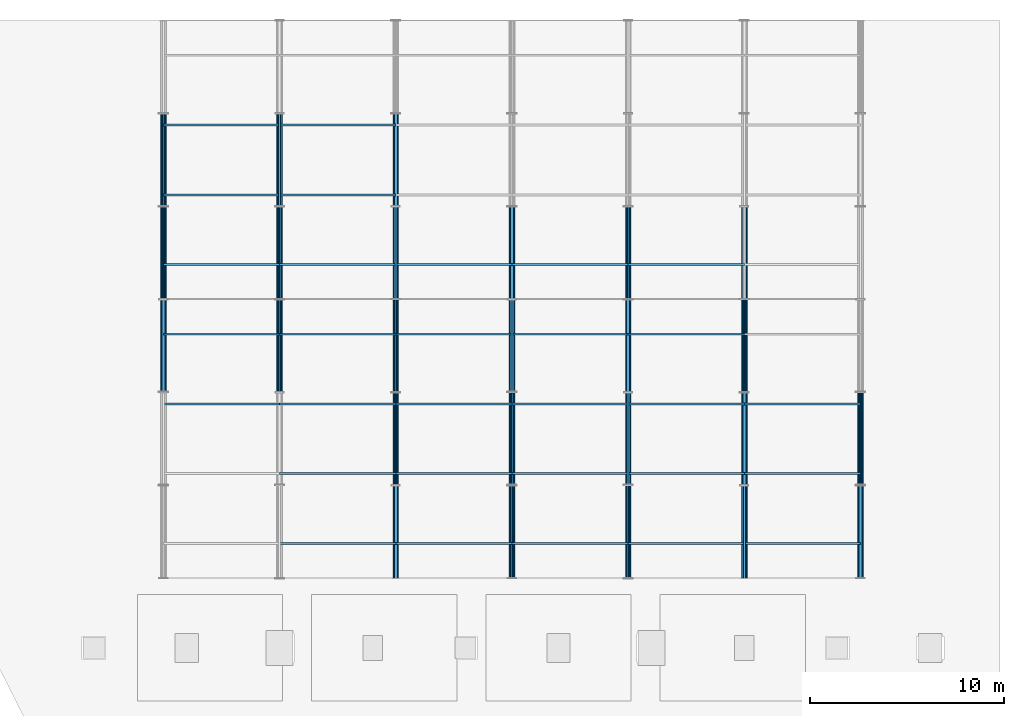
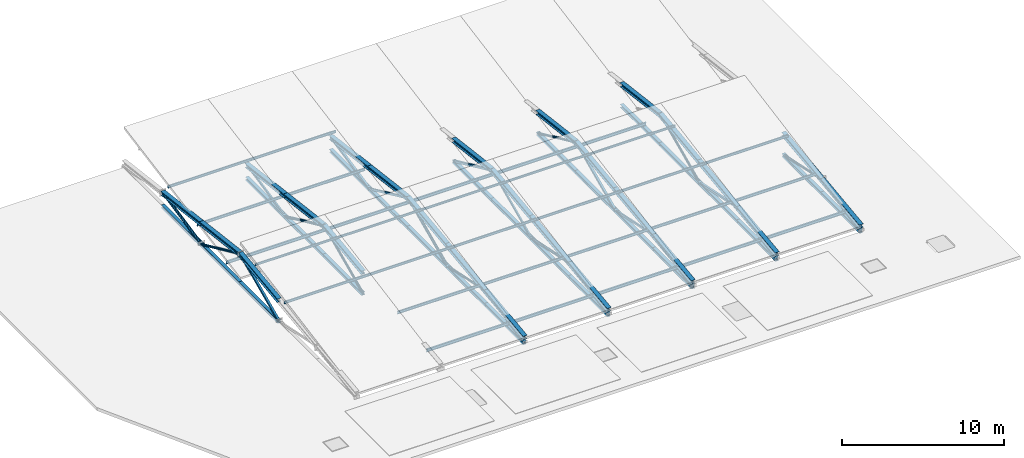
# One storey, part 9 of 32: 104 members.
"""IFC4 building model written with IfcOpenShell, lengths in metres."""

from ifc_helpers import new_model, si_unit, direction, frame, origin, origin_2d, place, context, subcontext, project, spatial, hollow_rectangle, hollow_circle, i_section, extrude, material, material_profile, profile_set, type_object, element, save


model = new_model("IFC4")

# Units and contexts
model_context = context("Model", 3, precision=1e-05, world=origin(), true_north=direction((0.0, 1.0)))
body_context = subcontext(model_context, "Body", "Model", "MODEL_VIEW")
ifc_project = project(units=[si_unit("LENGTHUNIT", "METRE"), si_unit("AREAUNIT", "SQUARE_METRE"), si_unit("VOLUMEUNIT", "CUBIC_METRE"), si_unit("PLANEANGLEUNIT", "RADIAN"), si_unit("MASSUNIT", "GRAM", prefix="KILO")], contexts=[model_context])

# Site, building, storey
site_placement = place(None, origin())
site = spatial("IfcSite", under=ifc_project, at=site_placement, CompositionType="ELEMENT")
building_placement = place(site_placement, origin())
building = spatial("IfcBuilding", under=site, at=building_placement, Name="Brisavento Harbour Community Centre", CompositionType="ELEMENT")
storey_placement = place(building_placement, frame((0.0, 0.0, 12.89990234375)))
storey = spatial("IfcBuildingStorey", under=building, at=storey_placement, Name="L03", CompositionType="ELEMENT", Elevation=12.89990234375)

# Members
ifc_material = material(Name="Steel S355", Category="steel")
ifc_material_profile_1 = material_profile(ifc_material, hollow_circle(Radius=0.084228515625, WallThickness=0.008056640625, at=origin_2d()), Name="Steel S355")
ifc_profile_set_1 = profile_set([ifc_material_profile_1], Name="Steel S355")
member_type_1 = type_object("IfcMemberType", Name="MEM-BRC-CHS168", PredefinedType="BRACE", material=ifc_profile_set_1)
for number, where, z_axis, x_axis, name in (
    (1, (129.60009765625, 100.800048828125, 2.2001953125), (0.0, 0.909052417623, -0.416681775475), (-1.0, 0.0, 0.0), "Sports Hall truss 1 diagonal 4"),
    (2, (135.60009765625, 96.0, 0.0), (0.0, 0.909052417623, 0.416681775475), (-1.0, 0.0, 0.0), "Sports Hall truss 2 diagonal 3"),
):
    element("IfcMember", number, at=place(storey_placement, frame(where, z_axis=z_axis, x_axis=x_axis)), inside=storey, type_object=member_type_1, Name=name, PredefinedType="BRACE", context=body_context, shape_type="SweptSolid", body=[
        extrude(hollow_circle(Radius=0.084228515625, WallThickness=0.008056640625, at=origin_2d()), origin(), (0.0, 0.0, 1.0), 5.2802734375),
    ])
for number, where, z_axis, x_axis, name in (
    (3, (141.60009765625, 91.199951171875, 1.0), (0.0, 0.978980833987, -0.203952265704), (-1.0, 0.0, 0.0), "Sports Hall truss 3 diagonal 2"),
    (4, (147.60009765625, 86.39990234375, 0.0), (0.0, 0.978980833987, 0.203952265704), (-1.0, 0.0, 0.0), "Sports Hall truss 4 diagonal 1"),
):
    element("IfcMember", number, at=place(storey_placement, frame(where, z_axis=z_axis, x_axis=x_axis)), inside=storey, type_object=member_type_1, Name=name, PredefinedType="BRACE", context=body_context, shape_type="SweptSolid", body=[
        extrude(hollow_circle(Radius=0.084228515625, WallThickness=0.008056640625, at=origin_2d()), origin(), (0.0, 0.0, 1.0), 4.903076171875),
    ])
for number, where, z_axis, x_axis, name in (
    (5, (153.60009765625, 100.800048828125, 2.2001953125), (0.0, 0.909052417623, -0.416681775475), (-1.0, 0.0, 0.0), "Sports Hall truss 5 diagonal 4"),
    (6, (159.60009765625, 96.0, 0.0), (0.0, 0.909052417623, 0.416681775475), (-1.0, 0.0, 0.0), "Sports Hall truss 6 diagonal 3"),
):
    element("IfcMember", number, at=place(storey_placement, frame(where, z_axis=z_axis, x_axis=x_axis)), inside=storey, type_object=member_type_1, Name=name, PredefinedType="BRACE", context=body_context, shape_type="SweptSolid", body=[
        extrude(hollow_circle(Radius=0.084228515625, WallThickness=0.008056640625, at=origin_2d()), origin(), (0.0, 0.0, 1.0), 5.2802734375),
    ])
member_1_placement = place(storey_placement, frame((165.60009765625, 91.199951171875, 1.0), z_axis=(0.0, 0.978980833987, -0.203952265704), x_axis=(-1.0, 0.0, 0.0)))
element("IfcMember", 7, at=member_1_placement, inside=storey, type_object=member_type_1, Name="Sports Hall truss 7 diagonal 2", PredefinedType="BRACE", context=body_context, shape_type="SweptSolid", body=[
    extrude(hollow_circle(Radius=0.084228515625, WallThickness=0.008056640625, at=origin_2d()), origin(), (0.0, 0.0, 1.0), 4.903076171875),
])
ifc_material_profile_2 = material_profile(ifc_material, hollow_circle(Radius=0.096923828125, WallThickness=0.010009765625, at=origin_2d()), Name="Steel S355")
ifc_profile_set_2 = profile_set([ifc_material_profile_2], Name="Steel S355")
member_type_2 = type_object("IfcMemberType", Name="MEM-BRC-CHS193", PredefinedType="BRACE", material=ifc_profile_set_2)
member_2_placement = place(storey_placement, frame((129.60009765625, 105.60009765625, 0.0), z_axis=(0.0, 0.978978762618, 0.203962208122), x_axis=(-1.0, 0.0, 0.0)))
element("IfcMember", 8, at=member_2_placement, inside=storey, type_object=member_type_2, Name="Sports Hall truss 1 diagonal 5", PredefinedType="BRACE", context=body_context, shape_type="SweptSolid", body=[
    extrude(hollow_circle(Radius=0.096923828125, WallThickness=0.010009765625, at=origin_2d()), origin(), (0.0, 0.0, 1.0), 4.90283203125),
])
for number, where, z_axis, x_axis, name in (
    (9, (135.60009765625, 100.800048828125, 2.2001953125), (0.0, 0.909052417623, -0.416681775475), (-1.0, 0.0, 0.0), "Sports Hall truss 2 diagonal 4"),
    (10, (141.60009765625, 96.0, 0.0), (0.0, 0.909052417623, 0.416681775475), (-1.0, 0.0, 0.0), "Sports Hall truss 3 diagonal 3"),
):
    element("IfcMember", number, at=place(storey_placement, frame(where, z_axis=z_axis, x_axis=x_axis)), inside=storey, type_object=member_type_2, Name=name, PredefinedType="BRACE", context=body_context, shape_type="SweptSolid", body=[
        extrude(hollow_circle(Radius=0.096923828125, WallThickness=0.010009765625, at=origin_2d()), origin(), (0.0, 0.0, 1.0), 5.2802734375),
    ])
for number, where, z_axis, x_axis, name in (
    (11, (147.60009765625, 91.199951171875, 1.0), (0.0, 0.978980833987, -0.203952265704), (-1.0, 0.0, 0.0), "Sports Hall truss 4 diagonal 2"),
    (12, (153.60009765625, 86.39990234375, 0.0), (0.0, 0.978980833987, 0.203952265704), (-1.0, 0.0, 0.0), "Sports Hall truss 5 diagonal 1"),
):
    element("IfcMember", number, at=place(storey_placement, frame(where, z_axis=z_axis, x_axis=x_axis)), inside=storey, type_object=member_type_2, Name=name, PredefinedType="BRACE", context=body_context, shape_type="SweptSolid", body=[
        extrude(hollow_circle(Radius=0.096923828125, WallThickness=0.010009765625, at=origin_2d()), origin(), (0.0, 0.0, 1.0), 4.903076171875),
    ])
ifc_material_profile_3 = material_profile(ifc_material, hollow_rectangle(XDim=0.10009765625, YDim=0.14990234375, WallThickness=0.008056640625, at=origin_2d()), Name="Steel S355")
ifc_profile_set_3 = profile_set([ifc_material_profile_3], Name="Steel S355")
member_type_3 = type_object("IfcMemberType", Name="MEM-BRC-RHS150", PredefinedType="BRACE", material=ifc_profile_set_3)
member_3_placement = place(storey_placement, frame((135.60009765625, 105.60009765625, 0.0), z_axis=(0.0, 0.978978762618, 0.203962208122), x_axis=(-1.0, 0.0, 0.0)))
element("IfcMember", 13, at=member_3_placement, inside=storey, type_object=member_type_3, Name="Sports Hall truss 2 diagonal 5", PredefinedType="BRACE", context=body_context, shape_type="SweptSolid", body=[
    extrude(hollow_rectangle(XDim=0.10009765625, YDim=0.14990234375, WallThickness=0.008056640625, at=origin_2d()), origin(), (0.0, 0.0, 1.0), 4.90283203125),
])
for number, where, z_axis, x_axis, name in (
    (14, (141.60009765625, 100.800048828125, 2.2001953125), (0.0, 0.909052417623, -0.416681775475), (-1.0, 0.0, 0.0), "Sports Hall truss 3 diagonal 4"),
    (15, (147.60009765625, 96.0, 0.0), (0.0, 0.909052417623, 0.416681775475), (-1.0, 0.0, 0.0), "Sports Hall truss 4 diagonal 3"),
):
    element("IfcMember", number, at=place(storey_placement, frame(where, z_axis=z_axis, x_axis=x_axis)), inside=storey, type_object=member_type_3, Name=name, PredefinedType="BRACE", context=body_context, shape_type="SweptSolid", body=[
        extrude(hollow_rectangle(XDim=0.10009765625, YDim=0.14990234375, WallThickness=0.008056640625, at=origin_2d()), origin(), (0.0, 0.0, 1.0), 5.2802734375),
    ])
for number, where, z_axis, x_axis, name in (
    (16, (153.60009765625, 91.199951171875, 1.0), (0.0, 0.978980833987, -0.203952265704), (-1.0, 0.0, 0.0), "Sports Hall truss 5 diagonal 2"),
    (17, (159.60009765625, 86.39990234375, 0.0), (0.0, 0.978980833987, 0.203952265704), (-1.0, 0.0, 0.0), "Sports Hall truss 6 diagonal 1"),
):
    element("IfcMember", number, at=place(storey_placement, frame(where, z_axis=z_axis, x_axis=x_axis)), inside=storey, type_object=member_type_3, Name=name, PredefinedType="BRACE", context=body_context, shape_type="SweptSolid", body=[
        extrude(hollow_rectangle(XDim=0.10009765625, YDim=0.14990234375, WallThickness=0.008056640625, at=origin_2d()), origin(), (0.0, 0.0, 1.0), 4.903076171875),
    ])
ifc_material_profile_4 = material_profile(ifc_material, hollow_rectangle(XDim=0.14990234375, YDim=0.14990234375, WallThickness=0.008056640625, at=origin_2d()), Name="Steel S355")
ifc_profile_set_4 = profile_set([ifc_material_profile_4], Name="Steel S355")
member_type_4 = type_object("IfcMemberType", Name="MEM-BRC-SHS150", PredefinedType="BRACE", material=ifc_profile_set_4)
member_4_placement = place(storey_placement, frame((129.60009765625, 96.0, 0.0), z_axis=(0.0, 0.909052417623, 0.416681775475), x_axis=(-1.0, 0.0, 0.0)))
element("IfcMember", 18, at=member_4_placement, inside=storey, type_object=member_type_4, Name="Sports Hall truss 1 diagonal 3", PredefinedType="BRACE", context=body_context, shape_type="SweptSolid", body=[
    extrude(hollow_rectangle(XDim=0.14990234375, YDim=0.14990234375, WallThickness=0.008056640625, at=origin_2d()), origin(), (0.0, 0.0, 1.0), 5.2802734375),
])
member_5_placement = place(storey_placement, frame((141.60009765625, 86.39990234375, 0.0), z_axis=(0.0, 0.978980833987, 0.203952265704), x_axis=(-1.0, 0.0, 0.0)))
element("IfcMember", 19, at=member_5_placement, inside=storey, type_object=member_type_4, Name="Sports Hall truss 3 diagonal 1", PredefinedType="BRACE", context=body_context, shape_type="SweptSolid", body=[
    extrude(hollow_rectangle(XDim=0.14990234375, YDim=0.14990234375, WallThickness=0.008056640625, at=origin_2d()), origin(), (0.0, 0.0, 1.0), 4.903076171875),
])
member_6_placement = place(storey_placement, frame((141.60009765625, 105.60009765625, 0.0), z_axis=(0.0, 0.978978762618, 0.203962208122), x_axis=(-1.0, 0.0, 0.0)))
element("IfcMember", 20, at=member_6_placement, inside=storey, type_object=member_type_4, Name="Sports Hall truss 3 diagonal 5", PredefinedType="BRACE", context=body_context, shape_type="SweptSolid", body=[
    extrude(hollow_rectangle(XDim=0.14990234375, YDim=0.14990234375, WallThickness=0.008056640625, at=origin_2d()), origin(), (0.0, 0.0, 1.0), 4.90283203125),
])
for number, where, z_axis, x_axis, name in (
    (21, (147.60009765625, 100.800048828125, 2.2001953125), (0.0, 0.909052417623, -0.416681775475), (-1.0, 0.0, 0.0), "Sports Hall truss 4 diagonal 4"),
    (22, (153.60009765625, 96.0, 0.0), (0.0, 0.909052417623, 0.416681775475), (-1.0, 0.0, 0.0), "Sports Hall truss 5 diagonal 3"),
):
    element("IfcMember", number, at=place(storey_placement, frame(where, z_axis=z_axis, x_axis=x_axis)), inside=storey, type_object=member_type_4, Name=name, PredefinedType="BRACE", context=body_context, shape_type="SweptSolid", body=[
        extrude(hollow_rectangle(XDim=0.14990234375, YDim=0.14990234375, WallThickness=0.008056640625, at=origin_2d()), origin(), (0.0, 0.0, 1.0), 5.2802734375),
    ])
for number, where, z_axis, x_axis, name in (
    (23, (159.60009765625, 91.199951171875, 1.0), (0.0, 0.978980833987, -0.203952265704), (-1.0, 0.0, 0.0), "Sports Hall truss 6 diagonal 2"),
    (24, (165.60009765625, 86.39990234375, 0.0), (0.0, 0.978980833987, 0.203952265704), (-1.0, 0.0, 0.0), "Sports Hall truss 7 diagonal 1"),
):
    element("IfcMember", number, at=place(storey_placement, frame(where, z_axis=z_axis, x_axis=x_axis)), inside=storey, type_object=member_type_4, Name=name, PredefinedType="BRACE", context=body_context, shape_type="SweptSolid", body=[
        extrude(hollow_rectangle(XDim=0.14990234375, YDim=0.14990234375, WallThickness=0.008056640625, at=origin_2d()), origin(), (0.0, 0.0, 1.0), 4.903076171875),
    ])
ifc_material_profile_5 = material_profile(ifc_material, i_section(OverallWidth=0.239990234375, OverallDepth=0.22998046875, WebThickness=0.007568359375, FlangeThickness=0.011962890625, FilletRadius=0.02099609375, at=origin_2d()), Name="Steel S355")
ifc_profile_set_5 = profile_set([ifc_material_profile_5], Name="Steel S355")
member_type_5 = type_object("IfcMemberType", Name="MEM-CHD-HEA240", PredefinedType="CHORD", material=ifc_profile_set_5)
for number, where, z_axis, x_axis, name in (
    (25, (129.60009765625, 96.0, 0.0), (0.0, 1.0, 0.0), (-1.0, 0.0, 0.0), "Sports Hall truss 1 bottom chord 3"),
    (26, (129.60009765625, 100.800048828125, 0.0), (0.0, 1.0, 0.0), (-1.0, 0.0, 0.0), "Sports Hall truss 1 bottom chord 4"),
):
    element("IfcMember", number, at=place(storey_placement, frame(where, z_axis=z_axis, x_axis=x_axis)), inside=storey, type_object=member_type_5, Name=name, PredefinedType="CHORD", context=body_context, shape_type="SweptSolid", body=[
        extrude(i_section(OverallWidth=0.239990234375, OverallDepth=0.22998046875, WebThickness=0.007568359375, FlangeThickness=0.011962890625, FilletRadius=0.02099609375, at=origin_2d()), origin(), (0.0, 0.0, 1.0), 4.800048828125),
    ])
member_7_placement = place(storey_placement, frame((129.60009765625, 105.60009765625, 0.0), z_axis=(0.0, 1.0, 0.0), x_axis=(-1.0, 0.0, 0.0)))
element("IfcMember", 27, at=member_7_placement, inside=storey, type_object=member_type_5, Name="Sports Hall truss 1 bottom chord 5", PredefinedType="CHORD", context=body_context, shape_type="SweptSolid", body=[
    extrude(i_section(OverallWidth=0.239990234375, OverallDepth=0.22998046875, WebThickness=0.007568359375, FlangeThickness=0.011962890625, FilletRadius=0.02099609375, at=origin_2d()), origin(), (0.0, 0.0, 1.0), 4.7998046875),
])
for number, where, z_axis, x_axis, name in (
    (28, (135.60009765625, 96.0, 0.0), (0.0, 1.0, 0.0), (-1.0, 0.0, 0.0), "Sports Hall truss 2 bottom chord 3"),
    (29, (135.60009765625, 100.800048828125, 0.0), (0.0, 1.0, 0.0), (-1.0, 0.0, 0.0), "Sports Hall truss 2 bottom chord 4"),
):
    element("IfcMember", number, at=place(storey_placement, frame(where, z_axis=z_axis, x_axis=x_axis)), inside=storey, type_object=member_type_5, Name=name, PredefinedType="CHORD", context=body_context, shape_type="SweptSolid", body=[
        extrude(i_section(OverallWidth=0.239990234375, OverallDepth=0.22998046875, WebThickness=0.007568359375, FlangeThickness=0.011962890625, FilletRadius=0.02099609375, at=origin_2d()), origin(), (0.0, 0.0, 1.0), 4.800048828125),
    ])
member_8_placement = place(storey_placement, frame((135.60009765625, 105.60009765625, 0.0), z_axis=(0.0, 1.0, 0.0), x_axis=(-1.0, 0.0, 0.0)))
element("IfcMember", 30, at=member_8_placement, inside=storey, type_object=member_type_5, Name="Sports Hall truss 2 bottom chord 5", PredefinedType="CHORD", context=body_context, shape_type="SweptSolid", body=[
    extrude(i_section(OverallWidth=0.239990234375, OverallDepth=0.22998046875, WebThickness=0.007568359375, FlangeThickness=0.011962890625, FilletRadius=0.02099609375, at=origin_2d()), origin(), (0.0, 0.0, 1.0), 4.7998046875),
])
for number, where, z_axis, x_axis, name in (
    (31, (141.60009765625, 86.39990234375, 0.0), (0.0, 1.0, 0.0), (-1.0, 0.0, 0.0), "Sports Hall truss 3 bottom chord 1"),
    (32, (141.60009765625, 91.199951171875, 0.0), (0.0, 1.0, 0.0), (-1.0, 0.0, 0.0), "Sports Hall truss 3 bottom chord 2"),
    (33, (141.60009765625, 96.0, 0.0), (0.0, 1.0, 0.0), (-1.0, 0.0, 0.0), "Sports Hall truss 3 bottom chord 3"),
    (34, (141.60009765625, 100.800048828125, 0.0), (0.0, 1.0, 0.0), (-1.0, 0.0, 0.0), "Sports Hall truss 3 bottom chord 4"),
):
    element("IfcMember", number, at=place(storey_placement, frame(where, z_axis=z_axis, x_axis=x_axis)), inside=storey, type_object=member_type_5, Name=name, PredefinedType="CHORD", context=body_context, shape_type="SweptSolid", body=[
        extrude(i_section(OverallWidth=0.239990234375, OverallDepth=0.22998046875, WebThickness=0.007568359375, FlangeThickness=0.011962890625, FilletRadius=0.02099609375, at=origin_2d()), origin(), (0.0, 0.0, 1.0), 4.800048828125),
    ])
member_9_placement = place(storey_placement, frame((141.60009765625, 105.60009765625, 0.0), z_axis=(0.0, 1.0, 0.0), x_axis=(-1.0, 0.0, 0.0)))
element("IfcMember", 35, at=member_9_placement, inside=storey, type_object=member_type_5, Name="Sports Hall truss 3 bottom chord 5", PredefinedType="CHORD", context=body_context, shape_type="SweptSolid", body=[
    extrude(i_section(OverallWidth=0.239990234375, OverallDepth=0.22998046875, WebThickness=0.007568359375, FlangeThickness=0.011962890625, FilletRadius=0.02099609375, at=origin_2d()), origin(), (0.0, 0.0, 1.0), 4.7998046875),
])
for number, where, z_axis, x_axis, name in (
    (36, (147.60009765625, 86.39990234375, 0.0), (0.0, 1.0, 0.0), (-1.0, 0.0, 0.0), "Sports Hall truss 4 bottom chord 1"),
    (37, (147.60009765625, 91.199951171875, 0.0), (0.0, 1.0, 0.0), (-1.0, 0.0, 0.0), "Sports Hall truss 4 bottom chord 2"),
    (38, (147.60009765625, 96.0, 0.0), (0.0, 1.0, 0.0), (-1.0, 0.0, 0.0), "Sports Hall truss 4 bottom chord 3"),
    (39, (147.60009765625, 100.800048828125, 0.0), (0.0, 1.0, 0.0), (-1.0, 0.0, 0.0), "Sports Hall truss 4 bottom chord 4"),
    (40, (153.60009765625, 86.39990234375, 0.0), (0.0, 1.0, 0.0), (-1.0, 0.0, 0.0), "Sports Hall truss 5 bottom chord 1"),
    (41, (153.60009765625, 91.199951171875, 0.0), (0.0, 1.0, 0.0), (-1.0, 0.0, 0.0), "Sports Hall truss 5 bottom chord 2"),
    (42, (153.60009765625, 96.0, 0.0), (0.0, 1.0, 0.0), (-1.0, 0.0, 0.0), "Sports Hall truss 5 bottom chord 3"),
    (43, (153.60009765625, 100.800048828125, 0.0), (0.0, 1.0, 0.0), (-1.0, 0.0, 0.0), "Sports Hall truss 5 bottom chord 4"),
    (44, (159.60009765625, 86.39990234375, 0.0), (0.0, 1.0, 0.0), (-1.0, 0.0, 0.0), "Sports Hall truss 6 bottom chord 1"),
    (45, (159.60009765625, 91.199951171875, 0.0), (0.0, 1.0, 0.0), (-1.0, 0.0, 0.0), "Sports Hall truss 6 bottom chord 2"),
    (46, (159.60009765625, 96.0, 0.0), (0.0, 1.0, 0.0), (-1.0, 0.0, 0.0), "Sports Hall truss 6 bottom chord 3"),
    (47, (159.60009765625, 100.800048828125, 0.0), (0.0, 1.0, 0.0), (-1.0, 0.0, 0.0), "Sports Hall truss 6 bottom chord 4"),
    (48, (165.60009765625, 86.39990234375, 0.0), (0.0, 1.0, 0.0), (-1.0, 0.0, 0.0), "Sports Hall truss 7 bottom chord 1"),
    (49, (165.60009765625, 91.199951171875, 0.0), (0.0, 1.0, 0.0), (-1.0, 0.0, 0.0), "Sports Hall truss 7 bottom chord 2"),
):
    element("IfcMember", number, at=place(storey_placement, frame(where, z_axis=z_axis, x_axis=x_axis)), inside=storey, type_object=member_type_5, Name=name, PredefinedType="CHORD", context=body_context, shape_type="SweptSolid", body=[
        extrude(i_section(OverallWidth=0.239990234375, OverallDepth=0.22998046875, WebThickness=0.007568359375, FlangeThickness=0.011962890625, FilletRadius=0.02099609375, at=origin_2d()), origin(), (0.0, 0.0, 1.0), 4.800048828125),
    ])
ifc_material_profile_6 = material_profile(ifc_material, i_section(OverallWidth=0.300048828125, OverallDepth=0.2900390625, WebThickness=0.008544921875, FlangeThickness=0.013916015625, FilletRadius=0.027099609375, at=origin_2d()), Name="Steel S355")
ifc_profile_set_6 = profile_set([ifc_material_profile_6], Name="Steel S355")
member_type_6 = type_object("IfcMemberType", Name="MEM-CHD-HEA300", PredefinedType="CHORD", material=ifc_profile_set_6)
for number, where, z_axis, x_axis, name in (
    (50, (129.60009765625, 96.0, 1.60009765625), (0.0, 0.99227554719, 0.12405336936), (-1.0, 0.0, 0.0), "Sports Hall truss 1 top chord 3"),
    (51, (129.60009765625, 100.800048828125, 2.2001953125), (0.0, 0.99227554719, -0.12405336936), (-1.0, 0.0, 0.0), "Sports Hall truss 1 top chord 4"),
):
    element("IfcMember", number, at=place(storey_placement, frame(where, z_axis=z_axis, x_axis=x_axis)), inside=storey, type_object=member_type_6, Name=name, PredefinedType="CHORD", context=body_context, shape_type="SweptSolid", body=[
        extrude(i_section(OverallWidth=0.300048828125, OverallDepth=0.2900390625, WebThickness=0.008544921875, FlangeThickness=0.013916015625, FilletRadius=0.027099609375, at=origin_2d()), origin(), (0.0, 0.0, 1.0), 4.83740234375),
    ])
member_10_placement = place(storey_placement, frame((129.60009765625, 105.60009765625, 1.60009765625), z_axis=(0.0, 0.992274770448, -0.124059582185), x_axis=(-1.0, 0.0, 0.0)))
element("IfcMember", 52, at=member_10_placement, inside=storey, type_object=member_type_6, Name="Sports Hall truss 1 top chord 5", PredefinedType="CHORD", context=body_context, shape_type="SweptSolid", body=[
    extrude(i_section(OverallWidth=0.300048828125, OverallDepth=0.2900390625, WebThickness=0.008544921875, FlangeThickness=0.013916015625, FilletRadius=0.027099609375, at=origin_2d()), origin(), (0.0, 0.0, 1.0), 4.837158203125),
])
for number, where, z_axis, x_axis, name in (
    (53, (135.60009765625, 96.0, 1.60009765625), (0.0, 0.99227554719, 0.12405336936), (-1.0, 0.0, 0.0), "Sports Hall truss 2 top chord 3"),
    (54, (135.60009765625, 100.800048828125, 2.2001953125), (0.0, 0.99227554719, -0.12405336936), (-1.0, 0.0, 0.0), "Sports Hall truss 2 top chord 4"),
):
    element("IfcMember", number, at=place(storey_placement, frame(where, z_axis=z_axis, x_axis=x_axis)), inside=storey, type_object=member_type_6, Name=name, PredefinedType="CHORD", context=body_context, shape_type="SweptSolid", body=[
        extrude(i_section(OverallWidth=0.300048828125, OverallDepth=0.2900390625, WebThickness=0.008544921875, FlangeThickness=0.013916015625, FilletRadius=0.027099609375, at=origin_2d()), origin(), (0.0, 0.0, 1.0), 4.83740234375),
    ])
member_11_placement = place(storey_placement, frame((135.60009765625, 105.60009765625, 1.60009765625), z_axis=(0.0, 0.992274770448, -0.124059582185), x_axis=(-1.0, 0.0, 0.0)))
element("IfcMember", 55, at=member_11_placement, inside=storey, type_object=member_type_6, Name="Sports Hall truss 2 top chord 5", PredefinedType="CHORD", context=body_context, shape_type="SweptSolid", body=[
    extrude(i_section(OverallWidth=0.300048828125, OverallDepth=0.2900390625, WebThickness=0.008544921875, FlangeThickness=0.013916015625, FilletRadius=0.027099609375, at=origin_2d()), origin(), (0.0, 0.0, 1.0), 4.837158203125),
])
for number, where, z_axis, x_axis, name in (
    (56, (141.60009765625, 86.39990234375, 0.400146484375), (0.0, 0.9922817585, 0.124003676346), (-1.0, 0.0, 0.0), "Sports Hall truss 3 top chord 1"),
    (57, (141.60009765625, 91.199951171875, 1.0), (0.0, 0.99227554719, 0.12405336936), (-1.0, 0.0, 0.0), "Sports Hall truss 3 top chord 2"),
    (58, (141.60009765625, 96.0, 1.60009765625), (0.0, 0.99227554719, 0.12405336936), (-1.0, 0.0, 0.0), "Sports Hall truss 3 top chord 3"),
    (59, (141.60009765625, 100.800048828125, 2.2001953125), (0.0, 0.99227554719, -0.12405336936), (-1.0, 0.0, 0.0), "Sports Hall truss 3 top chord 4"),
):
    element("IfcMember", number, at=place(storey_placement, frame(where, z_axis=z_axis, x_axis=x_axis)), inside=storey, type_object=member_type_6, Name=name, PredefinedType="CHORD", context=body_context, shape_type="SweptSolid", body=[
        extrude(i_section(OverallWidth=0.300048828125, OverallDepth=0.2900390625, WebThickness=0.008544921875, FlangeThickness=0.013916015625, FilletRadius=0.027099609375, at=origin_2d()), origin(), (0.0, 0.0, 1.0), 4.83740234375),
    ])
member_12_placement = place(storey_placement, frame((141.60009765625, 105.60009765625, 1.60009765625), z_axis=(0.0, 0.992274770448, -0.124059582185), x_axis=(-1.0, 0.0, 0.0)))
element("IfcMember", 60, at=member_12_placement, inside=storey, type_object=member_type_6, Name="Sports Hall truss 3 top chord 5", PredefinedType="CHORD", context=body_context, shape_type="SweptSolid", body=[
    extrude(i_section(OverallWidth=0.300048828125, OverallDepth=0.2900390625, WebThickness=0.008544921875, FlangeThickness=0.013916015625, FilletRadius=0.027099609375, at=origin_2d()), origin(), (0.0, 0.0, 1.0), 4.837158203125),
])
for number, where, z_axis, x_axis, name in (
    (61, (147.60009765625, 86.39990234375, 0.400146484375), (0.0, 0.9922817585, 0.124003676346), (-1.0, 0.0, 0.0), "Sports Hall truss 4 top chord 1"),
    (62, (147.60009765625, 91.199951171875, 1.0), (0.0, 0.99227554719, 0.12405336936), (-1.0, 0.0, 0.0), "Sports Hall truss 4 top chord 2"),
    (63, (147.60009765625, 96.0, 1.60009765625), (0.0, 0.99227554719, 0.12405336936), (-1.0, 0.0, 0.0), "Sports Hall truss 4 top chord 3"),
    (64, (147.60009765625, 100.800048828125, 2.2001953125), (0.0, 0.99227554719, -0.12405336936), (-1.0, 0.0, 0.0), "Sports Hall truss 4 top chord 4"),
    (65, (153.60009765625, 86.39990234375, 0.400146484375), (0.0, 0.9922817585, 0.124003676346), (-1.0, 0.0, 0.0), "Sports Hall truss 5 top chord 1"),
    (66, (153.60009765625, 91.199951171875, 1.0), (0.0, 0.99227554719, 0.12405336936), (-1.0, 0.0, 0.0), "Sports Hall truss 5 top chord 2"),
    (67, (153.60009765625, 96.0, 1.60009765625), (0.0, 0.99227554719, 0.12405336936), (-1.0, 0.0, 0.0), "Sports Hall truss 5 top chord 3"),
    (68, (153.60009765625, 100.800048828125, 2.2001953125), (0.0, 0.99227554719, -0.12405336936), (-1.0, 0.0, 0.0), "Sports Hall truss 5 top chord 4"),
    (69, (159.60009765625, 86.39990234375, 0.400146484375), (0.0, 0.9922817585, 0.124003676346), (-1.0, 0.0, 0.0), "Sports Hall truss 6 top chord 1"),
    (70, (159.60009765625, 91.199951171875, 1.0), (0.0, 0.99227554719, 0.12405336936), (-1.0, 0.0, 0.0), "Sports Hall truss 6 top chord 2"),
    (71, (159.60009765625, 96.0, 1.60009765625), (0.0, 0.99227554719, 0.12405336936), (-1.0, 0.0, 0.0), "Sports Hall truss 6 top chord 3"),
    (72, (159.60009765625, 100.800048828125, 2.2001953125), (0.0, 0.99227554719, -0.12405336936), (-1.0, 0.0, 0.0), "Sports Hall truss 6 top chord 4"),
    (73, (165.60009765625, 86.39990234375, 0.400146484375), (0.0, 0.9922817585, 0.124003676346), (-1.0, 0.0, 0.0), "Sports Hall truss 7 top chord 1"),
    (74, (165.60009765625, 91.199951171875, 1.0), (0.0, 0.99227554719, 0.12405336936), (-1.0, 0.0, 0.0), "Sports Hall truss 7 top chord 2"),
):
    element("IfcMember", number, at=place(storey_placement, frame(where, z_axis=z_axis, x_axis=x_axis)), inside=storey, type_object=member_type_6, Name=name, PredefinedType="CHORD", context=body_context, shape_type="SweptSolid", body=[
        extrude(i_section(OverallWidth=0.300048828125, OverallDepth=0.2900390625, WebThickness=0.008544921875, FlangeThickness=0.013916015625, FilletRadius=0.027099609375, at=origin_2d()), origin(), (0.0, 0.0, 1.0), 4.83740234375),
    ])
ifc_material_profile_7 = material_profile(ifc_material, i_section(OverallWidth=0.08203125, OverallDepth=0.159912109375, WebThickness=0.0048828125, FlangeThickness=0.00732421875, FilletRadius=0.009033203125, at=origin_2d()), Name="Steel S355")
ifc_profile_set_7 = profile_set([ifc_material_profile_7], Name="Steel S355")
member_type_7 = type_object("IfcMemberType", Name="MEM-PUR-IPE160", PredefinedType="PURLIN", material=ifc_profile_set_7)
for number, where, z_axis, x_axis, name in (
    (75, (129.60009765625, 99.0, 2.458984375), (1.0, 0.0, 0.0), (0.0, 1.0, 0.0), "Sports Hall steel roof purlin 1.1.4"),
    (76, (135.60009765625, 99.0, 2.458984375), (1.0, 0.0, 0.0), (0.0, 1.0, 0.0), "Sports Hall steel roof purlin 2.1.4"),
    (77, (141.60009765625, 99.0, 2.458984375), (1.0, 0.0, 0.0), (0.0, 1.0, 0.0), "Sports Hall steel roof purlin 3.1.4"),
    (78, (147.60009765625, 99.0, 2.458984375), (1.0, 0.0, 0.0), (0.0, 1.0, 0.0), "Sports Hall steel roof purlin 4.1.4"),
    (79, (153.60009765625, 99.0, 2.458984375), (1.0, 0.0, 0.0), (0.0, 1.0, 0.0), "Sports Hall steel roof purlin 5.1.4"),
):
    element("IfcMember", number, at=place(storey_placement, frame(where, z_axis=z_axis, x_axis=x_axis)), inside=storey, type_object=member_type_7, Name=name, PredefinedType="PURLIN", context=body_context, shape_type="SweptSolid", body=[
        extrude(i_section(OverallWidth=0.08203125, OverallDepth=0.159912109375, WebThickness=0.0048828125, FlangeThickness=0.00732421875, FilletRadius=0.009033203125, at=origin_2d()), origin(), (0.0, 0.0, 1.0), 6.0),
    ])
ifc_material_profile_8 = material_profile(ifc_material, i_section(OverallWidth=0.091064453125, OverallDepth=0.179931640625, WebThickness=0.00537109375, FlangeThickness=0.008056640625, FilletRadius=0.009033203125, at=origin_2d()), Name="Steel S355")
ifc_profile_set_8 = profile_set([ifc_material_profile_8], Name="Steel S355")
member_type_8 = type_object("IfcMemberType", Name="MEM-PUR-IPE180", PredefinedType="PURLIN", material=ifc_profile_set_8)
for number, where, z_axis, x_axis, name in (
    (80, (129.60009765625, 95.39990234375, 1.786376953125), (1.0, 0.0, 0.0), (0.0, 1.0, 0.0), "Sports Hall steel roof purlin 1.1.3"),
    (81, (129.60009765625, 109.800048828125, 1.786376953125), (1.0, 0.0, 0.0), (0.0, 1.0, 0.0), "Sports Hall steel roof purlin 1.2.3"),
    (82, (135.60009765625, 95.39990234375, 1.786376953125), (1.0, 0.0, 0.0), (0.0, 1.0, 0.0), "Sports Hall steel roof purlin 2.1.3"),
    (83, (135.60009765625, 109.800048828125, 1.786376953125), (1.0, 0.0, 0.0), (0.0, 1.0, 0.0), "Sports Hall steel roof purlin 2.2.3"),
    (84, (141.60009765625, 95.39990234375, 1.786376953125), (1.0, 0.0, 0.0), (0.0, 1.0, 0.0), "Sports Hall steel roof purlin 3.1.3"),
    (85, (147.60009765625, 95.39990234375, 1.786376953125), (1.0, 0.0, 0.0), (0.0, 1.0, 0.0), "Sports Hall steel roof purlin 4.1.3"),
    (86, (153.60009765625, 95.39990234375, 1.786376953125), (1.0, 0.0, 0.0), (0.0, 1.0, 0.0), "Sports Hall steel roof purlin 5.1.3"),
    (87, (159.60009765625, 95.39990234375, 1.786376953125), (1.0, 0.0, 0.0), (0.0, 1.0, 0.0), "Sports Hall steel roof purlin 6.1.3"),
):
    element("IfcMember", number, at=place(storey_placement, frame(where, z_axis=z_axis, x_axis=x_axis)), inside=storey, type_object=member_type_8, Name=name, PredefinedType="PURLIN", context=body_context, shape_type="SweptSolid", body=[
        extrude(i_section(OverallWidth=0.091064453125, OverallDepth=0.179931640625, WebThickness=0.00537109375, FlangeThickness=0.008056640625, FilletRadius=0.009033203125, at=origin_2d()), origin(), (0.0, 0.0, 1.0), 6.0),
    ])
ifc_material_profile_9 = material_profile(ifc_material, i_section(OverallWidth=0.10009765625, OverallDepth=0.199951171875, WebThickness=0.005615234375, FlangeThickness=0.008544921875, FilletRadius=0.011962890625, at=origin_2d()), Name="Steel S355")
ifc_profile_set_9 = profile_set([ifc_material_profile_9], Name="Steel S355")
member_type_9 = type_object("IfcMemberType", Name="MEM-PUR-IPE200", PredefinedType="PURLIN", material=ifc_profile_set_9)
for number, where, z_axis, x_axis, name in (
    (88, (129.60009765625, 106.199951171875, 1.114013671875), (1.0, 0.0, 0.0), (0.0, 1.0, 0.0), "Sports Hall steel roof purlin 1.2.2"),
    (89, (135.60009765625, 91.800048828125, 1.11376953125), (1.0, 0.0, 0.0), (0.0, 1.0, 0.0), "Sports Hall steel roof purlin 2.1.2"),
    (90, (135.60009765625, 106.199951171875, 1.114013671875), (1.0, 0.0, 0.0), (0.0, 1.0, 0.0), "Sports Hall steel roof purlin 2.2.2"),
    (91, (141.60009765625, 91.800048828125, 1.11376953125), (1.0, 0.0, 0.0), (0.0, 1.0, 0.0), "Sports Hall steel roof purlin 3.1.2"),
    (92, (147.60009765625, 91.800048828125, 1.11376953125), (1.0, 0.0, 0.0), (0.0, 1.0, 0.0), "Sports Hall steel roof purlin 4.1.2"),
    (93, (153.60009765625, 91.800048828125, 1.11376953125), (1.0, 0.0, 0.0), (0.0, 1.0, 0.0), "Sports Hall steel roof purlin 5.1.2"),
    (94, (159.60009765625, 91.800048828125, 1.11376953125), (1.0, 0.0, 0.0), (0.0, 1.0, 0.0), "Sports Hall steel roof purlin 6.1.2"),
):
    element("IfcMember", number, at=place(storey_placement, frame(where, z_axis=z_axis, x_axis=x_axis)), inside=storey, type_object=member_type_9, Name=name, PredefinedType="PURLIN", context=body_context, shape_type="SweptSolid", body=[
        extrude(i_section(OverallWidth=0.10009765625, OverallDepth=0.199951171875, WebThickness=0.005615234375, FlangeThickness=0.008544921875, FilletRadius=0.011962890625, at=origin_2d()), origin(), (0.0, 0.0, 1.0), 6.0),
    ])
ifc_material_profile_10 = material_profile(ifc_material, i_section(OverallWidth=0.110107421875, OverallDepth=0.219970703125, WebThickness=0.005859375, FlangeThickness=0.00927734375, FilletRadius=0.011962890625, at=origin_2d()), Name="Steel S355")
ifc_profile_set_10 = profile_set([ifc_material_profile_10], Name="Steel S355")
member_type_10 = type_object("IfcMemberType", Name="MEM-PUR-IPE220", PredefinedType="PURLIN", material=ifc_profile_set_10)
for number, where, z_axis, x_axis, name in (
    (95, (129.60009765625, 102.60009765625, 0.44140625), (1.0, 0.0, 0.0), (0.0, 1.0, 0.0), "Sports Hall steel roof purlin 1.2.1"),
    (96, (135.60009765625, 88.199951171875, 0.44140625), (1.0, 0.0, 0.0), (0.0, 1.0, 0.0), "Sports Hall steel roof purlin 2.1.1"),
    (97, (135.60009765625, 102.60009765625, 0.44140625), (1.0, 0.0, 0.0), (0.0, 1.0, 0.0), "Sports Hall steel roof purlin 2.2.1"),
    (98, (141.60009765625, 88.199951171875, 0.44140625), (1.0, 0.0, 0.0), (0.0, 1.0, 0.0), "Sports Hall steel roof purlin 3.1.1"),
    (99, (141.60009765625, 102.60009765625, 0.44140625), (1.0, 0.0, 0.0), (0.0, 1.0, 0.0), "Sports Hall steel roof purlin 3.2.1"),
    (100, (147.60009765625, 88.199951171875, 0.44140625), (1.0, 0.0, 0.0), (0.0, 1.0, 0.0), "Sports Hall steel roof purlin 4.1.1"),
    (101, (147.60009765625, 102.60009765625, 0.44140625), (1.0, 0.0, 0.0), (0.0, 1.0, 0.0), "Sports Hall steel roof purlin 4.2.1"),
    (102, (153.60009765625, 88.199951171875, 0.44140625), (1.0, 0.0, 0.0), (0.0, 1.0, 0.0), "Sports Hall steel roof purlin 5.1.1"),
    (103, (153.60009765625, 102.60009765625, 0.44140625), (1.0, 0.0, 0.0), (0.0, 1.0, 0.0), "Sports Hall steel roof purlin 5.2.1"),
    (104, (159.60009765625, 88.199951171875, 0.44140625), (1.0, 0.0, 0.0), (0.0, 1.0, 0.0), "Sports Hall steel roof purlin 6.1.1"),
):
    element("IfcMember", number, at=place(storey_placement, frame(where, z_axis=z_axis, x_axis=x_axis)), inside=storey, type_object=member_type_10, Name=name, PredefinedType="PURLIN", context=body_context, shape_type="SweptSolid", body=[
        extrude(i_section(OverallWidth=0.110107421875, OverallDepth=0.219970703125, WebThickness=0.005859375, FlangeThickness=0.00927734375, FilletRadius=0.011962890625, at=origin_2d()), origin(), (0.0, 0.0, 1.0), 6.0),
    ])

save(model, "model.ifc")
